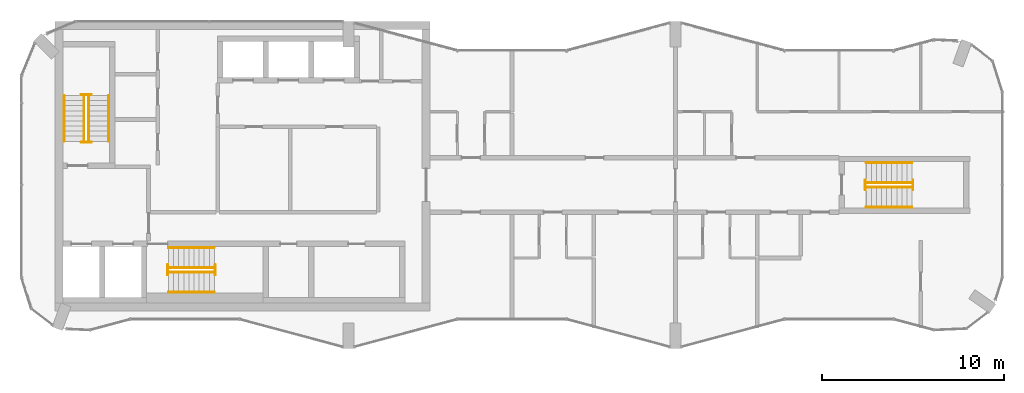
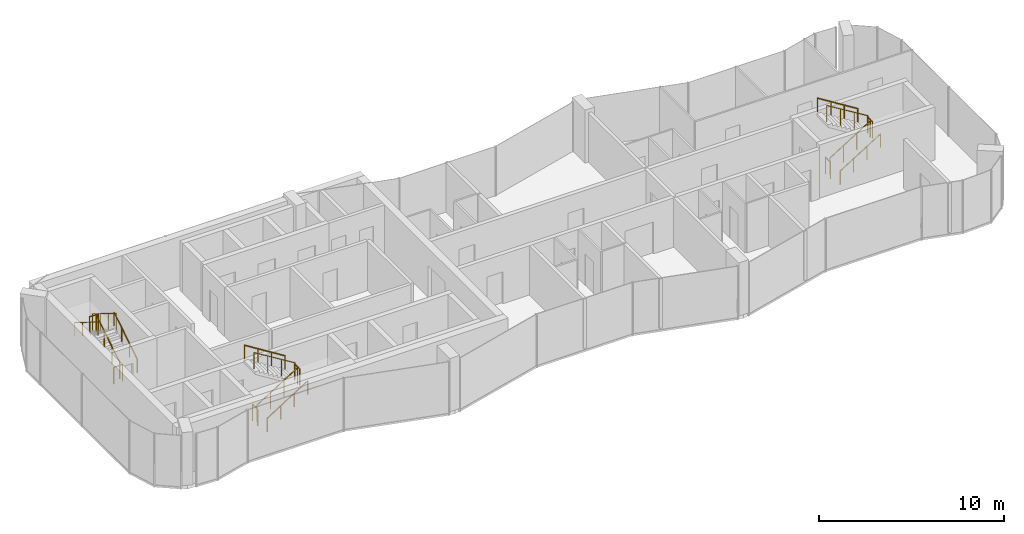
# One storey, part 10 of 10: 18 railings.
"""IFC4 building model written with IfcOpenShell, lengths in metres."""

from ifc_helpers import new_model, si_unit, direction, frame, origin, origin_2d, place, context, subcontext, project, spatial, circle, extrude, material, type_object, element, save


model = new_model("IFC4")

# Units and contexts
model_context = context("Model", 3, precision=1e-05, world=origin(), true_north=direction((0.0, 1.0)))
body_context = subcontext(model_context, "Body", "Model", "MODEL_VIEW")
ifc_project = project(units=[si_unit("LENGTHUNIT", "METRE"), si_unit("AREAUNIT", "SQUARE_METRE"), si_unit("VOLUMEUNIT", "CUBIC_METRE"), si_unit("PLANEANGLEUNIT", "RADIAN"), si_unit("MASSUNIT", "GRAM", prefix="KILO")], contexts=[model_context])

# Site, building, storey
site_placement = place(None, origin())
site = spatial("IfcSite", under=ifc_project, at=site_placement, CompositionType="ELEMENT")
building_placement = place(site_placement, origin())
building = spatial("IfcBuilding", under=site, at=building_placement, Name="Plateau Cross Towers", CompositionType="ELEMENT")
storey_placement = place(building_placement, frame((0.0, 0.0, 266.89990234375)))
storey = spatial("IfcBuildingStorey", under=building, at=storey_placement, Name="L70", CompositionType="ELEMENT", Elevation=266.89990234375)

# Railings
ifc_material_1 = material(Name="Stainless steel and toughened glass", Category="steel")
railing_type_1 = type_object("IfcRailingType", Name="RL-GUARD-1100", PredefinedType="GUARDRAIL", material=ifc_material_1)
railing_1_placement = place(storey_placement, frame((3.699951171875, 11.39990234375, 0.175048828125)))
element("IfcRailing", 1, at=railing_1_placement, inside=storey, type_object=railing_type_1, Name="L70 ST-1 stair guard 1", PredefinedType="GUARDRAIL", context=body_context, shape_type="SweptSolid", body=[
    extrude(circle(Radius=0.02392578125, at=origin_2d()), frame((0.0, 0.0, 1.076171875), z_axis=(0.0, 0.848007534815, 0.529984170421), x_axis=(-1.0, 0.0, 0.0)), (0.0, 0.0, 1.0), 2.9716796875),
    extrude(circle(Radius=0.02099609375, at=origin_2d()), origin(), (0.0, 0.0, 1.0), 1.052001953125),
    extrude(circle(Radius=0.02099609375, at=origin_2d()), frame((0.0, 0.840087890625, 0.52490234375)), (0.0, 0.0, 1.0), 1.052001953125),
    extrude(circle(Radius=0.02099609375, at=origin_2d()), frame((0.0, 1.679931640625, 1.050048828125)), (0.0, 0.0, 1.0), 1.052001953125),
    extrude(circle(Radius=0.02099609375, at=origin_2d()), frame((0.0, 2.52001953125, 1.574951171875)), (0.0, 0.0, 1.0), 1.052001953125),
])
railing_2_placement = place(storey_placement, frame((3.85009765625, 13.969970703125, 1.75)))
element("IfcRailing", 2, at=railing_2_placement, inside=storey, type_object=railing_type_1, Name="L70 ST-1 stair guard 2", PredefinedType="GUARDRAIL", context=body_context, shape_type="SweptSolid", body=[
    extrude(circle(Radius=0.02392578125, at=origin_2d()), frame((0.0, 0.0, 1.076171875), z_axis=(-1.0, 0.0, 0.0), x_axis=(0.0, -1.0, 0.0)), (0.0, 0.0, 1.0), 0.550048828125),
    extrude(circle(Radius=0.02099609375, at=origin_2d()), origin(), (0.0, 0.0, 1.0), 1.052001953125),
    extrude(circle(Radius=0.02099609375, at=origin_2d()), frame((-0.550048828125, 0.0, 0.0)), (0.0, 0.0, 1.0), 1.052001953125),
])
railing_3_placement = place(storey_placement, frame((3.449951171875, 13.919921875, 1.925048828125)))
element("IfcRailing", 3, at=railing_3_placement, inside=storey, type_object=railing_type_1, Name="L70 ST-1 stair guard 3", PredefinedType="GUARDRAIL", context=body_context, shape_type="SweptSolid", body=[
    extrude(circle(Radius=0.02392578125, at=origin_2d()), frame((0.0, 0.0, 1.076171875), z_axis=(0.0, -0.852616386126, 0.522537365276), x_axis=(1.0, 0.0, 0.0)), (0.0, 0.0, 1.0), 3.01416015625),
    extrude(circle(Radius=0.02099609375, at=origin_2d()), origin(), (0.0, 0.0, 1.0), 1.052001953125),
    extrude(circle(Radius=0.02099609375, at=origin_2d()), frame((0.0, -0.856689453125, 0.52490234375)), (0.0, 0.0, 1.0), 1.052001953125),
    extrude(circle(Radius=0.02099609375, at=origin_2d()), frame((0.0, -1.713134765625, 1.050048828125)), (0.0, 0.0, 1.0), 1.052001953125),
    extrude(circle(Radius=0.02099609375, at=origin_2d()), frame((0.0, -2.56982421875, 1.574951171875)), (0.0, 0.0, 1.0), 1.052001953125),
])
railing_4_placement = place(storey_placement, frame((3.85009765625, 11.35009765625, 0.0)))
element("IfcRailing", 4, at=railing_4_placement, inside=storey, type_object=railing_type_1, Name="L70 ST-1 stair guard 4", PredefinedType="GUARDRAIL", context=body_context, shape_type="SweptSolid", body=[
    extrude(circle(Radius=0.02392578125, at=origin_2d()), frame((0.0, 0.0, 1.076171875), z_axis=(-1.0, 0.0, 0.0), x_axis=(0.0, -1.0, 0.0)), (0.0, 0.0, 1.0), 0.550048828125),
    extrude(circle(Radius=0.02099609375, at=origin_2d()), origin(), (0.0, 0.0, 1.0), 1.052001953125),
    extrude(circle(Radius=0.02099609375, at=origin_2d()), frame((-0.550048828125, 0.0, 0.0)), (0.0, 0.0, 1.0), 1.052001953125),
])
railing_5_placement = place(storey_placement, frame((8.10009765625, 4.199951171875, 0.175048828125)))
element("IfcRailing", 5, at=railing_5_placement, inside=storey, type_object=railing_type_1, Name="L70 ST-2 stair guard 1", PredefinedType="GUARDRAIL", context=body_context, shape_type="SweptSolid", body=[
    extrude(circle(Radius=0.02392578125, at=origin_2d()), frame((0.0, 0.0, 1.076171875), z_axis=(0.848007534815, 0.0, 0.529984170421), x_axis=(0.0, 1.0, 0.0)), (0.0, 0.0, 1.0), 2.9716796875),
    extrude(circle(Radius=0.02099609375, at=origin_2d()), origin(), (0.0, 0.0, 1.0), 1.052001953125),
    extrude(circle(Radius=0.02099609375, at=origin_2d()), frame((0.840087890625, 0.0, 0.52490234375)), (0.0, 0.0, 1.0), 1.052001953125),
    extrude(circle(Radius=0.02099609375, at=origin_2d()), frame((1.679931640625, 0.0, 1.050048828125)), (0.0, 0.0, 1.0), 1.052001953125),
    extrude(circle(Radius=0.02099609375, at=origin_2d()), frame((2.52001953125, 0.0, 1.574951171875)), (0.0, 0.0, 1.0), 1.052001953125),
])
railing_6_placement = place(storey_placement, frame((10.669921875, 4.050048828125, 1.75)))
element("IfcRailing", 6, at=railing_6_placement, inside=storey, type_object=railing_type_1, Name="L70 ST-2 stair guard 2", PredefinedType="GUARDRAIL", context=body_context, shape_type="SweptSolid", body=[
    extrude(circle(Radius=0.02392578125, at=origin_2d()), frame((0.0, 0.0, 1.076171875), z_axis=(0.0, 1.0, 0.0), x_axis=(-1.0, 0.0, 0.0)), (0.0, 0.0, 1.0), 0.550048828125),
    extrude(circle(Radius=0.02099609375, at=origin_2d()), origin(), (0.0, 0.0, 1.0), 1.052001953125),
    extrude(circle(Radius=0.02099609375, at=origin_2d()), frame((0.0, 0.550048828125, 0.0)), (0.0, 0.0, 1.0), 1.052001953125),
])
railing_7_placement = place(storey_placement, frame((10.6201171875, 4.449951171875, 1.925048828125)))
element("IfcRailing", 7, at=railing_7_placement, inside=storey, type_object=railing_type_1, Name="L70 ST-2 stair guard 3", PredefinedType="GUARDRAIL", context=body_context, shape_type="SweptSolid", body=[
    extrude(circle(Radius=0.02392578125, at=origin_2d()), frame((0.0, 0.0, 1.076171875), z_axis=(-0.852638500773, 0.0, 0.522501279423), x_axis=(0.0, -1.0, 0.0)), (0.0, 0.0, 1.0), 3.01416015625),
    extrude(circle(Radius=0.02099609375, at=origin_2d()), origin(), (0.0, 0.0, 1.0), 1.052001953125),
    extrude(circle(Radius=0.02099609375, at=origin_2d()), frame((-0.856689453125, 0.0, 0.52490234375)), (0.0, 0.0, 1.0), 1.052001953125),
    extrude(circle(Radius=0.02099609375, at=origin_2d()), frame((-1.71337890625, 0.0, 1.050048828125)), (0.0, 0.0, 1.0), 1.052001953125),
    extrude(circle(Radius=0.02099609375, at=origin_2d()), frame((-2.570068359375, 0.0, 1.574951171875)), (0.0, 0.0, 1.0), 1.052001953125),
])
railing_8_placement = place(storey_placement, frame((8.050048828125, 4.050048828125, 0.0)))
element("IfcRailing", 8, at=railing_8_placement, inside=storey, type_object=railing_type_1, Name="L70 ST-2 stair guard 4", PredefinedType="GUARDRAIL", context=body_context, shape_type="SweptSolid", body=[
    extrude(circle(Radius=0.02392578125, at=origin_2d()), frame((0.0, 0.0, 1.076171875), z_axis=(0.0, 1.0, 0.0), x_axis=(-1.0, 0.0, 0.0)), (0.0, 0.0, 1.0), 0.550048828125),
    extrude(circle(Radius=0.02099609375, at=origin_2d()), origin(), (0.0, 0.0, 1.0), 1.052001953125),
    extrude(circle(Radius=0.02099609375, at=origin_2d()), frame((0.0, 0.550048828125, 0.0)), (0.0, 0.0, 1.0), 1.052001953125),
])
railing_9_placement = place(storey_placement, frame((46.5, 8.875, 0.175048828125)))
element("IfcRailing", 9, at=railing_9_placement, inside=storey, type_object=railing_type_1, Name="L70 ES-E stair guard 1", PredefinedType="GUARDRAIL", context=body_context, shape_type="SweptSolid", body=[
    extrude(circle(Radius=0.02392578125, at=origin_2d()), frame((0.0, 0.0, 1.076171875), z_axis=(0.848007534815, 0.0, 0.529984170421), x_axis=(0.0, 1.0, 0.0)), (0.0, 0.0, 1.0), 2.9716796875),
    extrude(circle(Radius=0.02099609375, at=origin_2d()), origin(), (0.0, 0.0, 1.0), 1.052001953125),
    extrude(circle(Radius=0.02099609375, at=origin_2d()), frame((0.840087890625, 0.0, 0.52490234375)), (0.0, 0.0, 1.0), 1.052001953125),
    extrude(circle(Radius=0.02099609375, at=origin_2d()), frame((1.679931640625, 0.0, 1.050048828125)), (0.0, 0.0, 1.0), 1.052001953125),
    extrude(circle(Radius=0.02099609375, at=origin_2d()), frame((2.52001953125, 0.0, 1.574951171875)), (0.0, 0.0, 1.0), 1.052001953125),
])
railing_10_placement = place(storey_placement, frame((49.070068359375, 8.72509765625, 1.75)))
element("IfcRailing", 10, at=railing_10_placement, inside=storey, type_object=railing_type_1, Name="L70 ES-E stair guard 2", PredefinedType="GUARDRAIL", context=body_context, shape_type="SweptSolid", body=[
    extrude(circle(Radius=0.02392578125, at=origin_2d()), frame((0.0, 0.0, 1.076171875), z_axis=(0.0, 1.0, 0.0), x_axis=(-1.0, 0.0, 0.0)), (0.0, 0.0, 1.0), 0.5498046875),
    extrude(circle(Radius=0.02099609375, at=origin_2d()), origin(), (0.0, 0.0, 1.0), 1.052001953125),
    extrude(circle(Radius=0.02099609375, at=origin_2d()), frame((0.0, 0.5498046875, 0.0)), (0.0, 0.0, 1.0), 1.052001953125),
])
railing_11_placement = place(storey_placement, frame((49.02001953125, 9.125, 1.925048828125)))
element("IfcRailing", 11, at=railing_11_placement, inside=storey, type_object=railing_type_1, Name="L70 ES-E stair guard 3", PredefinedType="GUARDRAIL", context=body_context, shape_type="SweptSolid", body=[
    extrude(circle(Radius=0.02392578125, at=origin_2d()), frame((0.0, 0.0, 1.076171875), z_axis=(-0.852638500773, 0.0, 0.522501279423), x_axis=(0.0, -1.0, 0.0)), (0.0, 0.0, 1.0), 3.01416015625),
    extrude(circle(Radius=0.02099609375, at=origin_2d()), origin(), (0.0, 0.0, 1.0), 1.052001953125),
    extrude(circle(Radius=0.02099609375, at=origin_2d()), frame((-0.856689453125, 0.0, 0.52490234375)), (0.0, 0.0, 1.0), 1.052001953125),
    extrude(circle(Radius=0.02099609375, at=origin_2d()), frame((-1.71337890625, 0.0, 1.050048828125)), (0.0, 0.0, 1.0), 1.052001953125),
    extrude(circle(Radius=0.02099609375, at=origin_2d()), frame((-2.570068359375, 0.0, 1.574951171875)), (0.0, 0.0, 1.0), 1.052001953125),
])
railing_12_placement = place(storey_placement, frame((46.449951171875, 8.72509765625, 0.0)))
element("IfcRailing", 12, at=railing_12_placement, inside=storey, type_object=railing_type_1, Name="L70 ES-E stair guard 4", PredefinedType="GUARDRAIL", context=body_context, shape_type="SweptSolid", body=[
    extrude(circle(Radius=0.02392578125, at=origin_2d()), frame((0.0, 0.0, 1.076171875), z_axis=(0.0, 1.0, 0.0), x_axis=(-1.0, 0.0, 0.0)), (0.0, 0.0, 1.0), 0.5498046875),
    extrude(circle(Radius=0.02099609375, at=origin_2d()), origin(), (0.0, 0.0, 1.0), 1.052001953125),
    extrude(circle(Radius=0.02099609375, at=origin_2d()), frame((0.0, 0.5498046875, 0.0)), (0.0, 0.0, 1.0), 1.052001953125),
])
ifc_material_2 = material(Name="Black anodised aluminium", Category="aluminium")
railing_type_2 = type_object("IfcRailingType", Name="RL-HANDRAIL-900", PredefinedType="HANDRAIL", material=ifc_material_2)
railing_13_placement = place(storey_placement, frame((4.800048828125, 11.39990234375, 0.175048828125)))
element("IfcRailing", 13, at=railing_13_placement, inside=storey, type_object=railing_type_2, Name="L70 ST-1 stair handrail 1", PredefinedType="HANDRAIL", context=body_context, shape_type="SweptSolid", body=[
    extrude(circle(Radius=0.02392578125, at=origin_2d()), frame((0.0, 0.0, 0.8759765625), z_axis=(0.0, 0.848007534815, 0.529984170421), x_axis=(-1.0, 0.0, 0.0)), (0.0, 0.0, 1.0), 2.9716796875),
    extrude(circle(Radius=0.02099609375, at=origin_2d()), origin(), (0.0, 0.0, 1.0), 0.851806640625),
    extrude(circle(Radius=0.02099609375, at=origin_2d()), frame((0.0, 0.840087890625, 0.52490234375)), (0.0, 0.0, 1.0), 0.851806640625),
    extrude(circle(Radius=0.02099609375, at=origin_2d()), frame((0.0, 1.679931640625, 1.050048828125)), (0.0, 0.0, 1.0), 0.851806640625),
    extrude(circle(Radius=0.02099609375, at=origin_2d()), frame((0.0, 2.52001953125, 1.574951171875)), (0.0, 0.0, 1.0), 0.851806640625),
])
railing_14_placement = place(storey_placement, frame((2.35009765625, 13.919921875, 1.925048828125)))
element("IfcRailing", 14, at=railing_14_placement, inside=storey, type_object=railing_type_2, Name="L70 ST-1 stair handrail 2", PredefinedType="HANDRAIL", context=body_context, shape_type="SweptSolid", body=[
    extrude(circle(Radius=0.02392578125, at=origin_2d()), frame((0.0, 0.0, 0.8759765625), z_axis=(0.0, -0.848007534815, 0.529984170421), x_axis=(1.0, 0.0, 0.0)), (0.0, 0.0, 1.0), 2.9716796875),
    extrude(circle(Radius=0.02099609375, at=origin_2d()), origin(), (0.0, 0.0, 1.0), 0.851806640625),
    extrude(circle(Radius=0.02099609375, at=origin_2d()), frame((0.0, -0.840087890625, 0.52490234375)), (0.0, 0.0, 1.0), 0.851806640625),
    extrude(circle(Radius=0.02099609375, at=origin_2d()), frame((0.0, -1.679931640625, 1.050048828125)), (0.0, 0.0, 1.0), 0.851806640625),
    extrude(circle(Radius=0.02099609375, at=origin_2d()), frame((0.0, -2.52001953125, 1.574951171875)), (0.0, 0.0, 1.0), 0.851806640625),
])
railing_15_placement = place(storey_placement, frame((8.10009765625, 3.10009765625, 0.175048828125)))
element("IfcRailing", 15, at=railing_15_placement, inside=storey, type_object=railing_type_2, Name="L70 ST-2 stair handrail 1", PredefinedType="HANDRAIL", context=body_context, shape_type="SweptSolid", body=[
    extrude(circle(Radius=0.02392578125, at=origin_2d()), frame((0.0, 0.0, 0.8759765625), z_axis=(0.848007534815, 0.0, 0.529984170421), x_axis=(0.0, 1.0, 0.0)), (0.0, 0.0, 1.0), 2.9716796875),
    extrude(circle(Radius=0.02099609375, at=origin_2d()), origin(), (0.0, 0.0, 1.0), 0.851806640625),
    extrude(circle(Radius=0.02099609375, at=origin_2d()), frame((0.840087890625, 0.0, 0.52490234375)), (0.0, 0.0, 1.0), 0.851806640625),
    extrude(circle(Radius=0.02099609375, at=origin_2d()), frame((1.679931640625, 0.0, 1.050048828125)), (0.0, 0.0, 1.0), 0.851806640625),
    extrude(circle(Radius=0.02099609375, at=origin_2d()), frame((2.52001953125, 0.0, 1.574951171875)), (0.0, 0.0, 1.0), 0.851806640625),
])
railing_16_placement = place(storey_placement, frame((10.6201171875, 5.550048828125, 1.925048828125)))
element("IfcRailing", 16, at=railing_16_placement, inside=storey, type_object=railing_type_2, Name="L70 ST-2 stair handrail 2", PredefinedType="HANDRAIL", context=body_context, shape_type="SweptSolid", body=[
    extrude(circle(Radius=0.02392578125, at=origin_2d()), frame((0.0, 0.0, 0.8759765625), z_axis=(-0.848007534815, 0.0, 0.529984170421), x_axis=(0.0, -1.0, 0.0)), (0.0, 0.0, 1.0), 2.9716796875),
    extrude(circle(Radius=0.02099609375, at=origin_2d()), origin(), (0.0, 0.0, 1.0), 0.851806640625),
    extrude(circle(Radius=0.02099609375, at=origin_2d()), frame((-0.840087890625, 0.0, 0.52490234375)), (0.0, 0.0, 1.0), 0.851806640625),
    extrude(circle(Radius=0.02099609375, at=origin_2d()), frame((-1.679931640625, 0.0, 1.050048828125)), (0.0, 0.0, 1.0), 0.851806640625),
    extrude(circle(Radius=0.02099609375, at=origin_2d()), frame((-2.52001953125, 0.0, 1.574951171875)), (0.0, 0.0, 1.0), 0.851806640625),
])
railing_17_placement = place(storey_placement, frame((46.5, 7.77490234375, 0.175048828125)))
element("IfcRailing", 17, at=railing_17_placement, inside=storey, type_object=railing_type_2, Name="L70 ES-E stair handrail 1", PredefinedType="HANDRAIL", context=body_context, shape_type="SweptSolid", body=[
    extrude(circle(Radius=0.02392578125, at=origin_2d()), frame((0.0, 0.0, 0.8759765625), z_axis=(0.848007534815, 0.0, 0.529984170421), x_axis=(0.0, 1.0, 0.0)), (0.0, 0.0, 1.0), 2.9716796875),
    extrude(circle(Radius=0.02099609375, at=origin_2d()), origin(), (0.0, 0.0, 1.0), 0.851806640625),
    extrude(circle(Radius=0.02099609375, at=origin_2d()), frame((0.840087890625, 0.0, 0.52490234375)), (0.0, 0.0, 1.0), 0.851806640625),
    extrude(circle(Radius=0.02099609375, at=origin_2d()), frame((1.679931640625, 0.0, 1.050048828125)), (0.0, 0.0, 1.0), 0.851806640625),
    extrude(circle(Radius=0.02099609375, at=origin_2d()), frame((2.52001953125, 0.0, 1.574951171875)), (0.0, 0.0, 1.0), 0.851806640625),
])
railing_18_placement = place(storey_placement, frame((49.02001953125, 10.22509765625, 1.925048828125)))
element("IfcRailing", 18, at=railing_18_placement, inside=storey, type_object=railing_type_2, Name="L70 ES-E stair handrail 2", PredefinedType="HANDRAIL", context=body_context, shape_type="SweptSolid", body=[
    extrude(circle(Radius=0.02392578125, at=origin_2d()), frame((0.0, 0.0, 0.8759765625), z_axis=(-0.848007534815, 0.0, 0.529984170421), x_axis=(0.0, -1.0, 0.0)), (0.0, 0.0, 1.0), 2.9716796875),
    extrude(circle(Radius=0.02099609375, at=origin_2d()), origin(), (0.0, 0.0, 1.0), 0.851806640625),
    extrude(circle(Radius=0.02099609375, at=origin_2d()), frame((-0.840087890625, 0.0, 0.52490234375)), (0.0, 0.0, 1.0), 0.851806640625),
    extrude(circle(Radius=0.02099609375, at=origin_2d()), frame((-1.679931640625, 0.0, 1.050048828125)), (0.0, 0.0, 1.0), 0.851806640625),
    extrude(circle(Radius=0.02099609375, at=origin_2d()), frame((-2.52001953125, 0.0, 1.574951171875)), (0.0, 0.0, 1.0), 0.851806640625),
])

save(model, "model.ifc")
